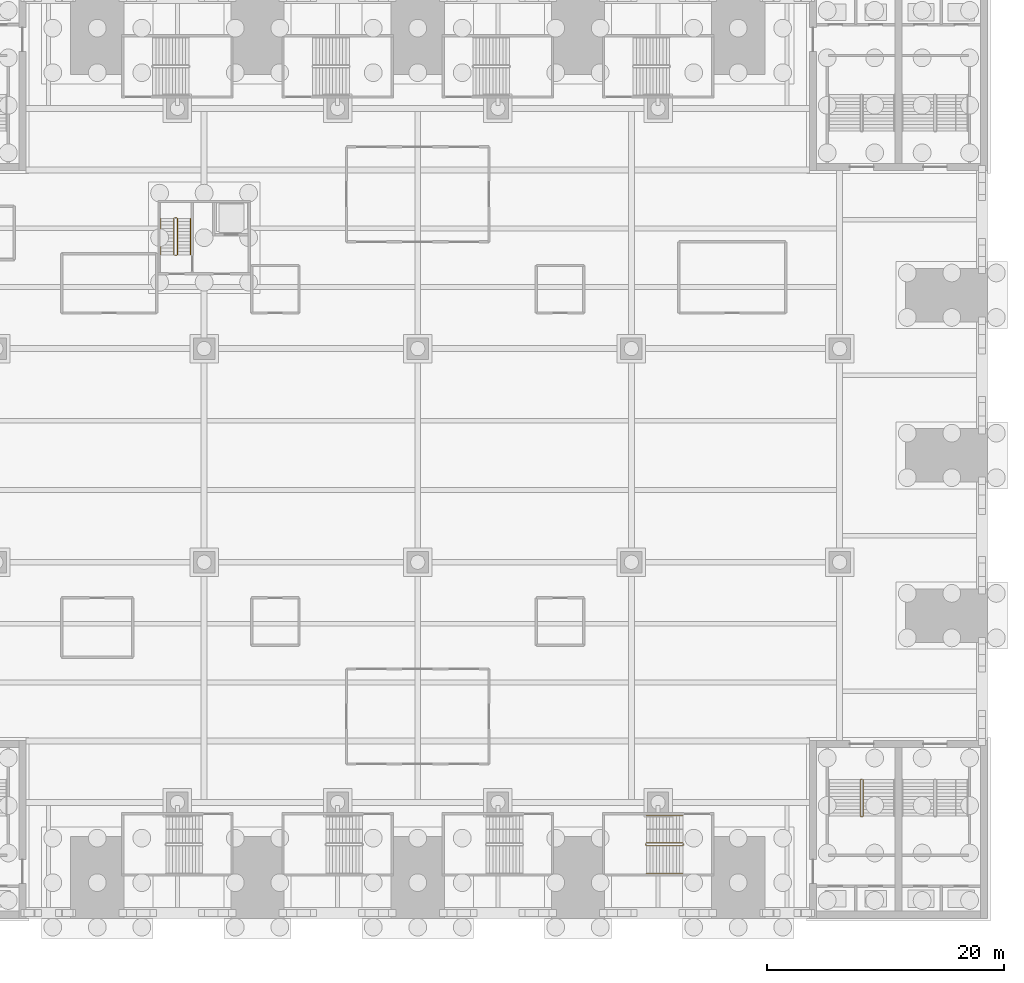
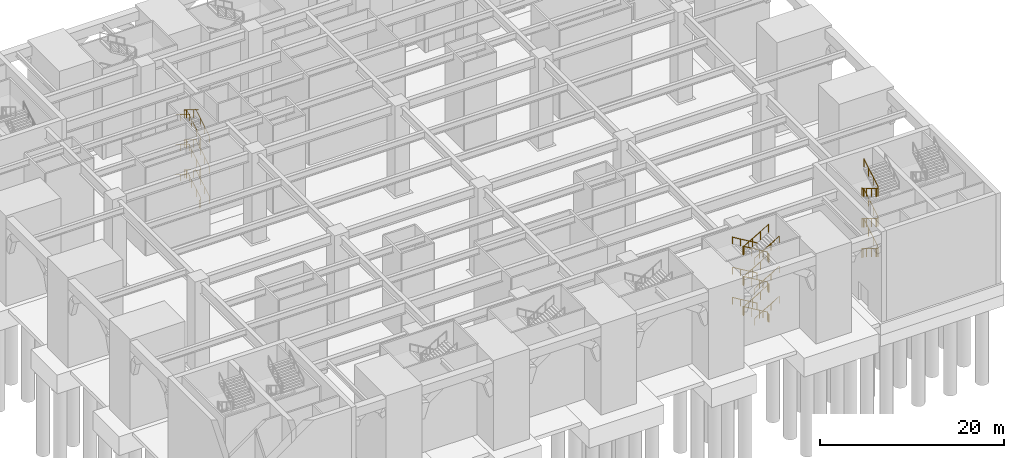
# One storey, part 29 of 34: 4 railings.
"""IFC4 building model written with IfcOpenShell, lengths in metres."""

from ifc_helpers import new_model, si_unit, direction, frame, origin, origin_2d, place, context, subcontext, project, spatial, circle, extrude, material, type_object, element, save


model = new_model("IFC4")

# Units and contexts
model_context = context("Model", 3, precision=1e-05, world=origin(), true_north=direction((0.0, 1.0)))
body_context = subcontext(model_context, "Body", "Model", "MODEL_VIEW")
ifc_project = project(units=[si_unit("LENGTHUNIT", "METRE"), si_unit("AREAUNIT", "SQUARE_METRE"), si_unit("VOLUMEUNIT", "CUBIC_METRE"), si_unit("PLANEANGLEUNIT", "RADIAN"), si_unit("MASSUNIT", "GRAM", prefix="KILO")], contexts=[model_context])

# Site, building, storey
site_placement = place(None, origin())
site = spatial("IfcSite", under=ifc_project, at=site_placement, CompositionType="ELEMENT")
building_placement = place(site_placement, origin())
building = spatial("IfcBuilding", under=site, at=building_placement, Name="Corbelhall Arena Tower", CompositionType="ELEMENT")
storey_placement = place(building_placement, origin())
storey = spatial("IfcBuildingStorey", under=building, at=storey_placement, Name="L00", CompositionType="ELEMENT", Elevation=0.0)

# Railings
ifc_material_1 = material(Name="Stainless steel A4", Category="steel")
railing_type_1 = type_object("IfcRailingType", Name="AR-STAIR-GUARD", PredefinedType="GUARDRAIL", material=ifc_material_1)
railing_1_placement = place(storey_placement, frame((22.35009765625, -32.64990234375, 0.166748046875)))
element("IfcRailing", 1, at=railing_1_placement, inside=storey, type_object=railing_type_1, Name="L00 AS16 stair guards", PredefinedType="GUARDRAIL", context=body_context, shape_type="SweptSolid", body=[
    extrude(circle(Radius=0.02392578125, at=origin_2d()), frame((0.0, 0.0, 1.076171875), z_axis=(-0.859308565015, 0.0, 0.511457515432), x_axis=(0.0, -1.0, 0.0)), (0.0, 0.0, 1.0), 3.58447265625),
    extrude(circle(Radius=0.02392578125, at=origin_2d()), frame((-3.130126953125, -0.050048828125, 2.9091796875), z_axis=(0.0, -1.0, 0.0), x_axis=(1.0, 0.0, 0.0)), (0.0, 0.0, 1.0), 0.150146484375),
    extrude(circle(Radius=0.02392578125, at=origin_2d()), frame((-3.080078125, -0.25, 3.076171875), z_axis=(0.859308565015, 0.0, 0.511457515432), x_axis=(0.0, 1.0, 0.0)), (0.0, 0.0, 1.0), 3.58447265625),
    extrude(circle(Radius=0.02392578125, at=origin_2d()), frame((0.0498046875, -0.050048828125, 4.9091796875), z_axis=(0.0, -1.0, 0.0), x_axis=(1.0, 0.0, 0.0)), (0.0, 0.0, 1.0), 0.150146484375),
    extrude(circle(Radius=0.02392578125, at=origin_2d()), frame((0.0, 0.0, 5.076171875), z_axis=(-0.859308565015, 0.0, 0.511457515432), x_axis=(0.0, -1.0, 0.0)), (0.0, 0.0, 1.0), 3.58447265625),
    extrude(circle(Radius=0.02392578125, at=origin_2d()), frame((-3.130126953125, -0.050048828125, 6.9091796875), z_axis=(0.0, -1.0, 0.0), x_axis=(1.0, 0.0, 0.0)), (0.0, 0.0, 1.0), 0.150146484375),
    extrude(circle(Radius=0.02392578125, at=origin_2d()), frame((-3.080078125, -0.25, 7.076171875), z_axis=(0.859308565015, 0.0, 0.511457515432), x_axis=(0.0, 1.0, 0.0)), (0.0, 0.0, 1.0), 3.58447265625),
    extrude(circle(Radius=0.02392578125, at=origin_2d()), frame((0.0498046875, -0.050048828125, 8.9091796875), z_axis=(0.0, -1.0, 0.0), x_axis=(1.0, 0.0, 0.0)), (0.0, 0.0, 1.0), 0.150146484375),
    extrude(circle(Radius=0.02392578125, at=origin_2d()), frame((0.0, 0.0, 9.076171875), z_axis=(-0.859308565015, 0.0, 0.511457515432), x_axis=(0.0, -1.0, 0.0)), (0.0, 0.0, 1.0), 3.58447265625),
    extrude(circle(Radius=0.02392578125, at=origin_2d()), frame((-3.130126953125, -0.050048828125, 10.9091796875), z_axis=(0.0, -1.0, 0.0), x_axis=(1.0, 0.0, 0.0)), (0.0, 0.0, 1.0), 0.150146484375),
    extrude(circle(Radius=0.02392578125, at=origin_2d()), frame((-3.080078125, -0.25, 11.076171875), z_axis=(0.859308565015, 0.0, 0.511457515432), x_axis=(0.0, 1.0, 0.0)), (0.0, 0.0, 1.0), 3.58447265625),
    extrude(circle(Radius=0.02392578125, at=origin_2d()), frame((0.0498046875, -0.050048828125, 0.9091796875), z_axis=(0.0, -1.0, 0.0), x_axis=(1.0, 0.0, 0.0)), (0.0, 0.0, 1.0), 0.150146484375),
    extrude(circle(Radius=0.02099609375, at=origin_2d()), origin(), (0.0, 0.0, 1.0), 1.052001953125),
    extrude(circle(Radius=0.02099609375, at=origin_2d()), frame((-1.026611328125, 0.0, 0.611083984375)), (0.0, 0.0, 1.0), 1.052001953125),
    extrude(circle(Radius=0.02099609375, at=origin_2d()), frame((-2.053466796875, 0.0, 1.22216796875)), (0.0, 0.0, 1.0), 1.052001953125),
    extrude(circle(Radius=0.02099609375, at=origin_2d()), frame((-3.080078125, 0.0, 1.833251953125)), (0.0, 0.0, 1.0), 1.052001953125),
    extrude(circle(Radius=0.02099609375, at=origin_2d()), frame((-3.130126953125, -0.050048828125, 1.833251953125)), (0.0, 0.0, 1.0), 1.052001953125),
    extrude(circle(Radius=0.02099609375, at=origin_2d()), frame((-3.130126953125, -0.2001953125, 1.833251953125)), (0.0, 0.0, 1.0), 1.052001953125),
    extrude(circle(Radius=0.02099609375, at=origin_2d()), frame((-3.080078125, -0.25, 2.0)), (0.0, 0.0, 1.0), 1.052001953125),
    extrude(circle(Radius=0.02099609375, at=origin_2d()), frame((-2.053466796875, -0.25, 2.611083984375)), (0.0, 0.0, 1.0), 1.052001953125),
    extrude(circle(Radius=0.02099609375, at=origin_2d()), frame((-1.026611328125, -0.25, 3.22216796875)), (0.0, 0.0, 1.0), 1.052001953125),
    extrude(circle(Radius=0.02099609375, at=origin_2d()), frame((0.0, -0.25, 3.833251953125)), (0.0, 0.0, 1.0), 1.052001953125),
    extrude(circle(Radius=0.02099609375, at=origin_2d()), frame((0.0498046875, -0.050048828125, 3.833251953125)), (0.0, 0.0, 1.0), 1.052001953125),
    extrude(circle(Radius=0.02099609375, at=origin_2d()), frame((0.0498046875, -0.2001953125, 3.833251953125)), (0.0, 0.0, 1.0), 1.052001953125),
    extrude(circle(Radius=0.02099609375, at=origin_2d()), frame((0.0, 0.0, 4.0)), (0.0, 0.0, 1.0), 1.052001953125),
    extrude(circle(Radius=0.02099609375, at=origin_2d()), frame((-1.026611328125, 0.0, 4.611083984375)), (0.0, 0.0, 1.0), 1.052001953125),
    extrude(circle(Radius=0.02099609375, at=origin_2d()), frame((-2.053466796875, 0.0, 5.22216796875)), (0.0, 0.0, 1.0), 1.052001953125),
    extrude(circle(Radius=0.02099609375, at=origin_2d()), frame((-3.080078125, 0.0, 5.833251953125)), (0.0, 0.0, 1.0), 1.052001953125),
    extrude(circle(Radius=0.02099609375, at=origin_2d()), frame((-3.130126953125, -0.050048828125, 5.833251953125)), (0.0, 0.0, 1.0), 1.052001953125),
    extrude(circle(Radius=0.02099609375, at=origin_2d()), frame((-3.130126953125, -0.2001953125, 5.833251953125)), (0.0, 0.0, 1.0), 1.052001953125),
    extrude(circle(Radius=0.02099609375, at=origin_2d()), frame((-3.080078125, -0.25, 6.0)), (0.0, 0.0, 1.0), 1.052001953125),
    extrude(circle(Radius=0.02099609375, at=origin_2d()), frame((-2.053466796875, -0.25, 6.611083984375)), (0.0, 0.0, 1.0), 1.052001953125),
    extrude(circle(Radius=0.02099609375, at=origin_2d()), frame((-1.026611328125, -0.25, 7.22216796875)), (0.0, 0.0, 1.0), 1.052001953125),
    extrude(circle(Radius=0.02099609375, at=origin_2d()), frame((0.0, -0.25, 7.833251953125)), (0.0, 0.0, 1.0), 1.052001953125),
    extrude(circle(Radius=0.02099609375, at=origin_2d()), frame((0.0498046875, -0.050048828125, 7.833251953125)), (0.0, 0.0, 1.0), 1.052001953125),
    extrude(circle(Radius=0.02099609375, at=origin_2d()), frame((0.0498046875, -0.2001953125, 7.833251953125)), (0.0, 0.0, 1.0), 1.052001953125),
    extrude(circle(Radius=0.02099609375, at=origin_2d()), frame((0.0, 0.0, 8.0)), (0.0, 0.0, 1.0), 1.052001953125),
    extrude(circle(Radius=0.02099609375, at=origin_2d()), frame((-1.026611328125, 0.0, 8.611083984375)), (0.0, 0.0, 1.0), 1.052001953125),
    extrude(circle(Radius=0.02099609375, at=origin_2d()), frame((-2.053466796875, 0.0, 9.22216796875)), (0.0, 0.0, 1.0), 1.052001953125),
    extrude(circle(Radius=0.02099609375, at=origin_2d()), frame((-3.080078125, 0.0, 9.833251953125)), (0.0, 0.0, 1.0), 1.052001953125),
    extrude(circle(Radius=0.02099609375, at=origin_2d()), frame((-3.130126953125, -0.050048828125, 9.833251953125)), (0.0, 0.0, 1.0), 1.052001953125),
    extrude(circle(Radius=0.02099609375, at=origin_2d()), frame((-3.130126953125, -0.2001953125, 9.833251953125)), (0.0, 0.0, 1.0), 1.052001953125),
    extrude(circle(Radius=0.02099609375, at=origin_2d()), frame((-3.080078125, -0.25, 10.0)), (0.0, 0.0, 1.0), 1.052001953125),
    extrude(circle(Radius=0.02099609375, at=origin_2d()), frame((-2.053466796875, -0.25, 10.611083984375)), (0.0, 0.0, 1.0), 1.052001953125),
    extrude(circle(Radius=0.02099609375, at=origin_2d()), frame((-1.026611328125, -0.25, 11.22216796875)), (0.0, 0.0, 1.0), 1.052001953125),
    extrude(circle(Radius=0.02099609375, at=origin_2d()), frame((0.0, -0.25, 11.833251953125)), (0.0, 0.0, 1.0), 1.052001953125),
    extrude(circle(Radius=0.02099609375, at=origin_2d()), frame((0.0498046875, -0.050048828125, -0.166748046875)), (0.0, 0.0, 1.0), 1.052001953125),
    extrude(circle(Radius=0.02099609375, at=origin_2d()), frame((0.0498046875, -0.2001953125, -0.166748046875)), (0.0, 0.0, 1.0), 1.052001953125),
])
railing_2_placement = place(storey_placement, frame((37.280029296875, -27.320068359375, 0.166748046875)))
element("IfcRailing", 2, at=railing_2_placement, inside=storey, type_object=railing_type_1, Name="L00 AS5 stair guards", PredefinedType="GUARDRAIL", context=body_context, shape_type="SweptSolid", body=[
    extrude(circle(Radius=0.02392578125, at=origin_2d()), frame((0.0, 0.0, 1.076171875), z_axis=(0.0, -0.859290745958, 0.51148745235), x_axis=(1.0, 0.0, 0.0)), (0.0, 0.0, 1.0), 3.584228515625),
    extrude(circle(Radius=0.02392578125, at=origin_2d()), frame((0.050048828125, -3.1298828125, 2.9091796875), z_axis=(1.0, 0.0, 0.0), x_axis=(0.0, 1.0, 0.0)), (0.0, 0.0, 1.0), 0.14990234375),
    extrude(circle(Radius=0.02392578125, at=origin_2d()), frame((0.25, -3.079833984375, 3.076171875), z_axis=(0.0, 0.859290745958, 0.51148745235), x_axis=(-1.0, 0.0, 0.0)), (0.0, 0.0, 1.0), 3.584228515625),
    extrude(circle(Radius=0.02392578125, at=origin_2d()), frame((0.050048828125, 0.050048828125, 4.9091796875), z_axis=(1.0, 0.0, 0.0), x_axis=(0.0, 1.0, 0.0)), (0.0, 0.0, 1.0), 0.14990234375),
    extrude(circle(Radius=0.02392578125, at=origin_2d()), frame((0.0, 0.0, 5.076171875), z_axis=(0.0, -0.859290745958, 0.51148745235), x_axis=(1.0, 0.0, 0.0)), (0.0, 0.0, 1.0), 3.584228515625),
    extrude(circle(Radius=0.02392578125, at=origin_2d()), frame((0.050048828125, -3.1298828125, 6.9091796875), z_axis=(1.0, 0.0, 0.0), x_axis=(0.0, 1.0, 0.0)), (0.0, 0.0, 1.0), 0.14990234375),
    extrude(circle(Radius=0.02392578125, at=origin_2d()), frame((0.25, -3.079833984375, 7.076171875), z_axis=(0.0, 0.859290745958, 0.51148745235), x_axis=(-1.0, 0.0, 0.0)), (0.0, 0.0, 1.0), 3.584228515625),
    extrude(circle(Radius=0.02392578125, at=origin_2d()), frame((0.050048828125, 0.050048828125, 8.9091796875), z_axis=(1.0, 0.0, 0.0), x_axis=(0.0, 1.0, 0.0)), (0.0, 0.0, 1.0), 0.14990234375),
    extrude(circle(Radius=0.02392578125, at=origin_2d()), frame((0.0, 0.0, 9.076171875), z_axis=(0.0, -0.859290745958, 0.51148745235), x_axis=(1.0, 0.0, 0.0)), (0.0, 0.0, 1.0), 3.584228515625),
    extrude(circle(Radius=0.02392578125, at=origin_2d()), frame((0.050048828125, -3.1298828125, 10.9091796875), z_axis=(1.0, 0.0, 0.0), x_axis=(0.0, 1.0, 0.0)), (0.0, 0.0, 1.0), 0.14990234375),
    extrude(circle(Radius=0.02392578125, at=origin_2d()), frame((0.25, -3.079833984375, 11.076171875), z_axis=(0.0, 0.859290745958, 0.51148745235), x_axis=(-1.0, 0.0, 0.0)), (0.0, 0.0, 1.0), 3.584228515625),
    extrude(circle(Radius=0.02392578125, at=origin_2d()), frame((0.050048828125, 0.050048828125, 0.9091796875), z_axis=(1.0, 0.0, 0.0), x_axis=(0.0, 1.0, 0.0)), (0.0, 0.0, 1.0), 0.14990234375),
    extrude(circle(Radius=0.02099609375, at=origin_2d()), origin(), (0.0, 0.0, 1.0), 1.052001953125),
    extrude(circle(Radius=0.02099609375, at=origin_2d()), frame((0.0, -1.026611328125, 0.611083984375)), (0.0, 0.0, 1.0), 1.052001953125),
    extrude(circle(Radius=0.02099609375, at=origin_2d()), frame((0.0, -2.05322265625, 1.22216796875)), (0.0, 0.0, 1.0), 1.052001953125),
    extrude(circle(Radius=0.02099609375, at=origin_2d()), frame((0.0, -3.079833984375, 1.833251953125)), (0.0, 0.0, 1.0), 1.052001953125),
    extrude(circle(Radius=0.02099609375, at=origin_2d()), frame((0.050048828125, -3.1298828125, 1.833251953125)), (0.0, 0.0, 1.0), 1.052001953125),
    extrude(circle(Radius=0.02099609375, at=origin_2d()), frame((0.199951171875, -3.1298828125, 1.833251953125)), (0.0, 0.0, 1.0), 1.052001953125),
    extrude(circle(Radius=0.02099609375, at=origin_2d()), frame((0.25, -3.079833984375, 2.0)), (0.0, 0.0, 1.0), 1.052001953125),
    extrude(circle(Radius=0.02099609375, at=origin_2d()), frame((0.25, -2.05322265625, 2.611083984375)), (0.0, 0.0, 1.0), 1.052001953125),
    extrude(circle(Radius=0.02099609375, at=origin_2d()), frame((0.25, -1.026611328125, 3.22216796875)), (0.0, 0.0, 1.0), 1.052001953125),
    extrude(circle(Radius=0.02099609375, at=origin_2d()), frame((0.25, 0.0, 3.833251953125)), (0.0, 0.0, 1.0), 1.052001953125),
    extrude(circle(Radius=0.02099609375, at=origin_2d()), frame((0.050048828125, 0.050048828125, 3.833251953125)), (0.0, 0.0, 1.0), 1.052001953125),
    extrude(circle(Radius=0.02099609375, at=origin_2d()), frame((0.199951171875, 0.050048828125, 3.833251953125)), (0.0, 0.0, 1.0), 1.052001953125),
    extrude(circle(Radius=0.02099609375, at=origin_2d()), frame((0.0, 0.0, 4.0)), (0.0, 0.0, 1.0), 1.052001953125),
    extrude(circle(Radius=0.02099609375, at=origin_2d()), frame((0.0, -1.026611328125, 4.611083984375)), (0.0, 0.0, 1.0), 1.052001953125),
    extrude(circle(Radius=0.02099609375, at=origin_2d()), frame((0.0, -2.05322265625, 5.22216796875)), (0.0, 0.0, 1.0), 1.052001953125),
    extrude(circle(Radius=0.02099609375, at=origin_2d()), frame((0.0, -3.079833984375, 5.833251953125)), (0.0, 0.0, 1.0), 1.052001953125),
    extrude(circle(Radius=0.02099609375, at=origin_2d()), frame((0.050048828125, -3.1298828125, 5.833251953125)), (0.0, 0.0, 1.0), 1.052001953125),
    extrude(circle(Radius=0.02099609375, at=origin_2d()), frame((0.199951171875, -3.1298828125, 5.833251953125)), (0.0, 0.0, 1.0), 1.052001953125),
    extrude(circle(Radius=0.02099609375, at=origin_2d()), frame((0.25, -3.079833984375, 6.0)), (0.0, 0.0, 1.0), 1.052001953125),
    extrude(circle(Radius=0.02099609375, at=origin_2d()), frame((0.25, -2.05322265625, 6.611083984375)), (0.0, 0.0, 1.0), 1.052001953125),
    extrude(circle(Radius=0.02099609375, at=origin_2d()), frame((0.25, -1.026611328125, 7.22216796875)), (0.0, 0.0, 1.0), 1.052001953125),
    extrude(circle(Radius=0.02099609375, at=origin_2d()), frame((0.25, 0.0, 7.833251953125)), (0.0, 0.0, 1.0), 1.052001953125),
    extrude(circle(Radius=0.02099609375, at=origin_2d()), frame((0.050048828125, 0.050048828125, 7.833251953125)), (0.0, 0.0, 1.0), 1.052001953125),
    extrude(circle(Radius=0.02099609375, at=origin_2d()), frame((0.199951171875, 0.050048828125, 7.833251953125)), (0.0, 0.0, 1.0), 1.052001953125),
    extrude(circle(Radius=0.02099609375, at=origin_2d()), frame((0.0, 0.0, 8.0)), (0.0, 0.0, 1.0), 1.052001953125),
    extrude(circle(Radius=0.02099609375, at=origin_2d()), frame((0.0, -1.026611328125, 8.611083984375)), (0.0, 0.0, 1.0), 1.052001953125),
    extrude(circle(Radius=0.02099609375, at=origin_2d()), frame((0.0, -2.05322265625, 9.22216796875)), (0.0, 0.0, 1.0), 1.052001953125),
    extrude(circle(Radius=0.02099609375, at=origin_2d()), frame((0.0, -3.079833984375, 9.833251953125)), (0.0, 0.0, 1.0), 1.052001953125),
    extrude(circle(Radius=0.02099609375, at=origin_2d()), frame((0.050048828125, -3.1298828125, 9.833251953125)), (0.0, 0.0, 1.0), 1.052001953125),
    extrude(circle(Radius=0.02099609375, at=origin_2d()), frame((0.199951171875, -3.1298828125, 9.833251953125)), (0.0, 0.0, 1.0), 1.052001953125),
    extrude(circle(Radius=0.02099609375, at=origin_2d()), frame((0.25, -3.079833984375, 10.0)), (0.0, 0.0, 1.0), 1.052001953125),
    extrude(circle(Radius=0.02099609375, at=origin_2d()), frame((0.25, -2.05322265625, 10.611083984375)), (0.0, 0.0, 1.0), 1.052001953125),
    extrude(circle(Radius=0.02099609375, at=origin_2d()), frame((0.25, -1.026611328125, 11.22216796875)), (0.0, 0.0, 1.0), 1.052001953125),
    extrude(circle(Radius=0.02099609375, at=origin_2d()), frame((0.25, 0.0, 11.833251953125)), (0.0, 0.0, 1.0), 1.052001953125),
    extrude(circle(Radius=0.02099609375, at=origin_2d()), frame((0.050048828125, 0.050048828125, -0.166748046875)), (0.0, 0.0, 1.0), 1.052001953125),
    extrude(circle(Radius=0.02099609375, at=origin_2d()), frame((0.199951171875, 0.050048828125, -0.166748046875)), (0.0, 0.0, 1.0), 1.052001953125),
])
railing_type_2 = type_object("IfcRailingType", Name="AR-STAIR-HANDRAIL", PredefinedType="HANDRAIL", material=ifc_material_1)
railing_3_placement = place(storey_placement, frame((22.35009765625, -30.35009765625, 0.166748046875)))
element("IfcRailing", 3, at=railing_3_placement, inside=storey, type_object=railing_type_2, Name="L00 AS16 stair handrails", PredefinedType="HANDRAIL", context=body_context, shape_type="SweptSolid", body=[
    extrude(circle(Radius=0.02392578125, at=origin_2d()), frame((0.0, 0.0, 0.8759765625), z_axis=(-0.859308565015, 0.0, 0.511457515432), x_axis=(0.0, -1.0, 0.0)), (0.0, 0.0, 1.0), 3.58447265625),
    extrude(circle(Radius=0.02392578125, at=origin_2d()), frame((-3.080078125, -4.849853515625, 2.8759765625), z_axis=(0.859308565015, 0.0, 0.511457515432), x_axis=(0.0, 1.0, 0.0)), (0.0, 0.0, 1.0), 3.58447265625),
    extrude(circle(Radius=0.02392578125, at=origin_2d()), frame((0.0, 0.0, 4.8759765625), z_axis=(-0.859308565015, 0.0, 0.511457515432), x_axis=(0.0, -1.0, 0.0)), (0.0, 0.0, 1.0), 3.58447265625),
    extrude(circle(Radius=0.02392578125, at=origin_2d()), frame((-3.080078125, -4.849853515625, 6.8759765625), z_axis=(0.859308565015, 0.0, 0.511457515432), x_axis=(0.0, 1.0, 0.0)), (0.0, 0.0, 1.0), 3.58447265625),
    extrude(circle(Radius=0.02392578125, at=origin_2d()), frame((0.0, 0.0, 8.8759765625), z_axis=(-0.859308565015, 0.0, 0.511457515432), x_axis=(0.0, -1.0, 0.0)), (0.0, 0.0, 1.0), 3.58447265625),
    extrude(circle(Radius=0.02392578125, at=origin_2d()), frame((-3.080078125, -4.849853515625, 10.8759765625), z_axis=(0.859308565015, 0.0, 0.511457515432), x_axis=(0.0, 1.0, 0.0)), (0.0, 0.0, 1.0), 3.58447265625),
    extrude(circle(Radius=0.02099609375, at=origin_2d()), origin(), (0.0, 0.0, 1.0), 0.851806640625),
    extrude(circle(Radius=0.02099609375, at=origin_2d()), frame((-1.026611328125, 0.0, 0.611083984375)), (0.0, 0.0, 1.0), 0.851806640625),
    extrude(circle(Radius=0.02099609375, at=origin_2d()), frame((-2.053466796875, 0.0, 1.22216796875)), (0.0, 0.0, 1.0), 0.851806640625),
    extrude(circle(Radius=0.02099609375, at=origin_2d()), frame((-3.080078125, 0.0, 1.833251953125)), (0.0, 0.0, 1.0), 0.851806640625),
    extrude(circle(Radius=0.02099609375, at=origin_2d()), frame((-3.080078125, -4.849853515625, 2.0)), (0.0, 0.0, 1.0), 0.851806640625),
    extrude(circle(Radius=0.02099609375, at=origin_2d()), frame((-2.053466796875, -4.849853515625, 2.611083984375)), (0.0, 0.0, 1.0), 0.851806640625),
    extrude(circle(Radius=0.02099609375, at=origin_2d()), frame((-1.026611328125, -4.849853515625, 3.22216796875)), (0.0, 0.0, 1.0), 0.851806640625),
    extrude(circle(Radius=0.02099609375, at=origin_2d()), frame((0.0, -4.849853515625, 3.833251953125)), (0.0, 0.0, 1.0), 0.851806640625),
    extrude(circle(Radius=0.02099609375, at=origin_2d()), frame((0.0, 0.0, 4.0)), (0.0, 0.0, 1.0), 0.851806640625),
    extrude(circle(Radius=0.02099609375, at=origin_2d()), frame((-1.026611328125, 0.0, 4.611083984375)), (0.0, 0.0, 1.0), 0.851806640625),
    extrude(circle(Radius=0.02099609375, at=origin_2d()), frame((-2.053466796875, 0.0, 5.22216796875)), (0.0, 0.0, 1.0), 0.851806640625),
    extrude(circle(Radius=0.02099609375, at=origin_2d()), frame((-3.080078125, 0.0, 5.833251953125)), (0.0, 0.0, 1.0), 0.851806640625),
    extrude(circle(Radius=0.02099609375, at=origin_2d()), frame((-3.080078125, -4.849853515625, 6.0)), (0.0, 0.0, 1.0), 0.851806640625),
    extrude(circle(Radius=0.02099609375, at=origin_2d()), frame((-2.053466796875, -4.849853515625, 6.611083984375)), (0.0, 0.0, 1.0), 0.851806640625),
    extrude(circle(Radius=0.02099609375, at=origin_2d()), frame((-1.026611328125, -4.849853515625, 7.22216796875)), (0.0, 0.0, 1.0), 0.851806640625),
    extrude(circle(Radius=0.02099609375, at=origin_2d()), frame((0.0, -4.849853515625, 7.833251953125)), (0.0, 0.0, 1.0), 0.851806640625),
    extrude(circle(Radius=0.02099609375, at=origin_2d()), frame((0.0, 0.0, 8.0)), (0.0, 0.0, 1.0), 0.851806640625),
    extrude(circle(Radius=0.02099609375, at=origin_2d()), frame((-1.026611328125, 0.0, 8.611083984375)), (0.0, 0.0, 1.0), 0.851806640625),
    extrude(circle(Radius=0.02099609375, at=origin_2d()), frame((-2.053466796875, 0.0, 9.22216796875)), (0.0, 0.0, 1.0), 0.851806640625),
    extrude(circle(Radius=0.02099609375, at=origin_2d()), frame((-3.080078125, 0.0, 9.833251953125)), (0.0, 0.0, 1.0), 0.851806640625),
    extrude(circle(Radius=0.02099609375, at=origin_2d()), frame((-3.080078125, -4.849853515625, 10.0)), (0.0, 0.0, 1.0), 0.851806640625),
    extrude(circle(Radius=0.02099609375, at=origin_2d()), frame((-2.053466796875, -4.849853515625, 10.611083984375)), (0.0, 0.0, 1.0), 0.851806640625),
    extrude(circle(Radius=0.02099609375, at=origin_2d()), frame((-1.026611328125, -4.849853515625, 11.22216796875)), (0.0, 0.0, 1.0), 0.851806640625),
    extrude(circle(Radius=0.02099609375, at=origin_2d()), frame((0.0, -4.849853515625, 11.833251953125)), (0.0, 0.0, 1.0), 0.851806640625),
])
ifc_material_2 = material(Name="Steel ASTM A500 Gr C", Category="steel")
railing_type_3 = type_object("IfcRailingType", Name="IN-GD-1100", PredefinedType="GUARDRAIL", material=ifc_material_2)
railing_4_placement = place(storey_placement, frame((-20.2451171875, 16.89990234375, 0.166748046875)))
element("IfcRailing", 4, at=railing_4_placement, inside=storey, type_object=railing_type_3, Name="L00 AS17 stair guards and handrails", PredefinedType="GUARDRAIL", context=body_context, shape_type="SweptSolid", body=[
    extrude(circle(Radius=0.02392578125, at=origin_2d()), frame((0.0, 0.0, 1.076171875), z_axis=(0.0, 0.859308565015, 0.511457515432), x_axis=(-1.0, 0.0, 0.0)), (0.0, 0.0, 1.0), 3.58447265625),
    extrude(circle(Radius=0.02392578125, at=origin_2d()), frame((-0.0498046875, 3.130126953125, 2.9091796875), z_axis=(-1.0, 0.0, 0.0), x_axis=(0.0, -1.0, 0.0)), (0.0, 0.0, 1.0), 0.2001953125),
    extrude(circle(Radius=0.02392578125, at=origin_2d()), frame((-0.2998046875, 3.080078125, 3.076171875), z_axis=(0.0, -0.859308565015, 0.511457515432), x_axis=(1.0, 0.0, 0.0)), (0.0, 0.0, 1.0), 3.58447265625),
    extrude(circle(Radius=0.02392578125, at=origin_2d()), frame((-0.0498046875, -0.0498046875, 4.9091796875), z_axis=(-1.0, 0.0, 0.0), x_axis=(0.0, -1.0, 0.0)), (0.0, 0.0, 1.0), 0.2001953125),
    extrude(circle(Radius=0.02392578125, at=origin_2d()), frame((0.0, 0.0, 5.076171875), z_axis=(0.0, 0.859308565015, 0.511457515432), x_axis=(-1.0, 0.0, 0.0)), (0.0, 0.0, 1.0), 3.58447265625),
    extrude(circle(Radius=0.02392578125, at=origin_2d()), frame((-0.0498046875, 3.130126953125, 6.9091796875), z_axis=(-1.0, 0.0, 0.0), x_axis=(0.0, -1.0, 0.0)), (0.0, 0.0, 1.0), 0.2001953125),
    extrude(circle(Radius=0.02392578125, at=origin_2d()), frame((-0.2998046875, 3.080078125, 7.076171875), z_axis=(0.0, -0.859308565015, 0.511457515432), x_axis=(1.0, 0.0, 0.0)), (0.0, 0.0, 1.0), 3.58447265625),
    extrude(circle(Radius=0.02392578125, at=origin_2d()), frame((-0.0498046875, -0.0498046875, 8.9091796875), z_axis=(-1.0, 0.0, 0.0), x_axis=(0.0, -1.0, 0.0)), (0.0, 0.0, 1.0), 0.2001953125),
    extrude(circle(Radius=0.02392578125, at=origin_2d()), frame((0.0, 0.0, 9.076171875), z_axis=(0.0, 0.859308565015, 0.511457515432), x_axis=(-1.0, 0.0, 0.0)), (0.0, 0.0, 1.0), 3.58447265625),
    extrude(circle(Radius=0.02392578125, at=origin_2d()), frame((-0.0498046875, 3.130126953125, 10.9091796875), z_axis=(-1.0, 0.0, 0.0), x_axis=(0.0, -1.0, 0.0)), (0.0, 0.0, 1.0), 0.2001953125),
    extrude(circle(Radius=0.02392578125, at=origin_2d()), frame((-0.2998046875, 3.080078125, 11.076171875), z_axis=(0.0, -0.859308565015, 0.511457515432), x_axis=(1.0, 0.0, 0.0)), (0.0, 0.0, 1.0), 3.58447265625),
    extrude(circle(Radius=0.02392578125, at=origin_2d()), frame((-0.0498046875, -0.0498046875, 0.9091796875), z_axis=(-1.0, 0.0, 0.0), x_axis=(0.0, -1.0, 0.0)), (0.0, 0.0, 1.0), 0.2001953125),
    extrude(circle(Radius=0.02392578125, at=origin_2d()), frame((1.10009765625, 0.0, 0.8759765625), z_axis=(0.0, 0.859308565015, 0.511457515432), x_axis=(-1.0, 0.0, 0.0)), (0.0, 0.0, 1.0), 3.58447265625),
    extrude(circle(Radius=0.02392578125, at=origin_2d()), frame((-1.39990234375, 3.080078125, 2.8759765625), z_axis=(0.0, -0.859308565015, 0.511457515432), x_axis=(1.0, 0.0, 0.0)), (0.0, 0.0, 1.0), 3.58447265625),
    extrude(circle(Radius=0.02392578125, at=origin_2d()), frame((1.10009765625, 0.0, 4.8759765625), z_axis=(0.0, 0.859308565015, 0.511457515432), x_axis=(-1.0, 0.0, 0.0)), (0.0, 0.0, 1.0), 3.58447265625),
    extrude(circle(Radius=0.02392578125, at=origin_2d()), frame((-1.39990234375, 3.080078125, 6.8759765625), z_axis=(0.0, -0.859308565015, 0.511457515432), x_axis=(1.0, 0.0, 0.0)), (0.0, 0.0, 1.0), 3.58447265625),
    extrude(circle(Radius=0.02392578125, at=origin_2d()), frame((1.10009765625, 0.0, 8.8759765625), z_axis=(0.0, 0.859308565015, 0.511457515432), x_axis=(-1.0, 0.0, 0.0)), (0.0, 0.0, 1.0), 3.58447265625),
    extrude(circle(Radius=0.02392578125, at=origin_2d()), frame((-1.39990234375, 3.080078125, 10.8759765625), z_axis=(0.0, -0.859308565015, 0.511457515432), x_axis=(1.0, 0.0, 0.0)), (0.0, 0.0, 1.0), 3.58447265625),
    extrude(circle(Radius=0.02099609375, at=origin_2d()), origin(), (0.0, 0.0, 1.0), 1.052001953125),
    extrude(circle(Radius=0.02099609375, at=origin_2d()), frame((0.0, 1.026611328125, 0.611083984375)), (0.0, 0.0, 1.0), 1.052001953125),
    extrude(circle(Radius=0.02099609375, at=origin_2d()), frame((0.0, 2.053466796875, 1.22216796875)), (0.0, 0.0, 1.0), 1.052001953125),
    extrude(circle(Radius=0.02099609375, at=origin_2d()), frame((0.0, 3.080078125, 1.833251953125)), (0.0, 0.0, 1.0), 1.052001953125),
    extrude(circle(Radius=0.02099609375, at=origin_2d()), frame((-0.0498046875, 3.130126953125, 1.833251953125)), (0.0, 0.0, 1.0), 1.052001953125),
    extrude(circle(Radius=0.02099609375, at=origin_2d()), frame((-0.25, 3.130126953125, 1.833251953125)), (0.0, 0.0, 1.0), 1.052001953125),
    extrude(circle(Radius=0.02099609375, at=origin_2d()), frame((-0.2998046875, 3.080078125, 2.0)), (0.0, 0.0, 1.0), 1.052001953125),
    extrude(circle(Radius=0.02099609375, at=origin_2d()), frame((-0.2998046875, 2.053466796875, 2.611083984375)), (0.0, 0.0, 1.0), 1.052001953125),
    extrude(circle(Radius=0.02099609375, at=origin_2d()), frame((-0.2998046875, 1.026611328125, 3.22216796875)), (0.0, 0.0, 1.0), 1.052001953125),
    extrude(circle(Radius=0.02099609375, at=origin_2d()), frame((-0.2998046875, 0.0, 3.833251953125)), (0.0, 0.0, 1.0), 1.052001953125),
    extrude(circle(Radius=0.02099609375, at=origin_2d()), frame((-0.0498046875, -0.0498046875, 3.833251953125)), (0.0, 0.0, 1.0), 1.052001953125),
    extrude(circle(Radius=0.02099609375, at=origin_2d()), frame((-0.25, -0.0498046875, 3.833251953125)), (0.0, 0.0, 1.0), 1.052001953125),
    extrude(circle(Radius=0.02099609375, at=origin_2d()), frame((0.0, 0.0, 4.0)), (0.0, 0.0, 1.0), 1.052001953125),
    extrude(circle(Radius=0.02099609375, at=origin_2d()), frame((0.0, 1.026611328125, 4.611083984375)), (0.0, 0.0, 1.0), 1.052001953125),
    extrude(circle(Radius=0.02099609375, at=origin_2d()), frame((0.0, 2.053466796875, 5.22216796875)), (0.0, 0.0, 1.0), 1.052001953125),
    extrude(circle(Radius=0.02099609375, at=origin_2d()), frame((0.0, 3.080078125, 5.833251953125)), (0.0, 0.0, 1.0), 1.052001953125),
    extrude(circle(Radius=0.02099609375, at=origin_2d()), frame((-0.0498046875, 3.130126953125, 5.833251953125)), (0.0, 0.0, 1.0), 1.052001953125),
    extrude(circle(Radius=0.02099609375, at=origin_2d()), frame((-0.25, 3.130126953125, 5.833251953125)), (0.0, 0.0, 1.0), 1.052001953125),
    extrude(circle(Radius=0.02099609375, at=origin_2d()), frame((-0.2998046875, 3.080078125, 6.0)), (0.0, 0.0, 1.0), 1.052001953125),
    extrude(circle(Radius=0.02099609375, at=origin_2d()), frame((-0.2998046875, 2.053466796875, 6.611083984375)), (0.0, 0.0, 1.0), 1.052001953125),
    extrude(circle(Radius=0.02099609375, at=origin_2d()), frame((-0.2998046875, 1.026611328125, 7.22216796875)), (0.0, 0.0, 1.0), 1.052001953125),
    extrude(circle(Radius=0.02099609375, at=origin_2d()), frame((-0.2998046875, 0.0, 7.833251953125)), (0.0, 0.0, 1.0), 1.052001953125),
    extrude(circle(Radius=0.02099609375, at=origin_2d()), frame((-0.0498046875, -0.0498046875, 7.833251953125)), (0.0, 0.0, 1.0), 1.052001953125),
    extrude(circle(Radius=0.02099609375, at=origin_2d()), frame((-0.25, -0.0498046875, 7.833251953125)), (0.0, 0.0, 1.0), 1.052001953125),
    extrude(circle(Radius=0.02099609375, at=origin_2d()), frame((0.0, 0.0, 8.0)), (0.0, 0.0, 1.0), 1.052001953125),
    extrude(circle(Radius=0.02099609375, at=origin_2d()), frame((0.0, 1.026611328125, 8.611083984375)), (0.0, 0.0, 1.0), 1.052001953125),
    extrude(circle(Radius=0.02099609375, at=origin_2d()), frame((0.0, 2.053466796875, 9.22216796875)), (0.0, 0.0, 1.0), 1.052001953125),
    extrude(circle(Radius=0.02099609375, at=origin_2d()), frame((0.0, 3.080078125, 9.833251953125)), (0.0, 0.0, 1.0), 1.052001953125),
    extrude(circle(Radius=0.02099609375, at=origin_2d()), frame((-0.0498046875, 3.130126953125, 9.833251953125)), (0.0, 0.0, 1.0), 1.052001953125),
    extrude(circle(Radius=0.02099609375, at=origin_2d()), frame((-0.25, 3.130126953125, 9.833251953125)), (0.0, 0.0, 1.0), 1.052001953125),
    extrude(circle(Radius=0.02099609375, at=origin_2d()), frame((-0.2998046875, 3.080078125, 10.0)), (0.0, 0.0, 1.0), 1.052001953125),
    extrude(circle(Radius=0.02099609375, at=origin_2d()), frame((-0.2998046875, 2.053466796875, 10.611083984375)), (0.0, 0.0, 1.0), 1.052001953125),
    extrude(circle(Radius=0.02099609375, at=origin_2d()), frame((-0.2998046875, 1.026611328125, 11.22216796875)), (0.0, 0.0, 1.0), 1.052001953125),
    extrude(circle(Radius=0.02099609375, at=origin_2d()), frame((-0.2998046875, 0.0, 11.833251953125)), (0.0, 0.0, 1.0), 1.052001953125),
    extrude(circle(Radius=0.02099609375, at=origin_2d()), frame((-0.0498046875, -0.0498046875, -0.166748046875)), (0.0, 0.0, 1.0), 1.052001953125),
    extrude(circle(Radius=0.02099609375, at=origin_2d()), frame((-0.25, -0.0498046875, -0.166748046875)), (0.0, 0.0, 1.0), 1.052001953125),
    extrude(circle(Radius=0.02099609375, at=origin_2d()), frame((1.10009765625, 0.0, 0.0)), (0.0, 0.0, 1.0), 0.851806640625),
    extrude(circle(Radius=0.02099609375, at=origin_2d()), frame((1.10009765625, 1.026611328125, 0.611083984375)), (0.0, 0.0, 1.0), 0.851806640625),
    extrude(circle(Radius=0.02099609375, at=origin_2d()), frame((1.10009765625, 2.053466796875, 1.22216796875)), (0.0, 0.0, 1.0), 0.851806640625),
    extrude(circle(Radius=0.02099609375, at=origin_2d()), frame((1.10009765625, 3.080078125, 1.833251953125)), (0.0, 0.0, 1.0), 0.851806640625),
    extrude(circle(Radius=0.02099609375, at=origin_2d()), frame((-1.39990234375, 3.080078125, 2.0)), (0.0, 0.0, 1.0), 0.851806640625),
    extrude(circle(Radius=0.02099609375, at=origin_2d()), frame((-1.39990234375, 2.053466796875, 2.611083984375)), (0.0, 0.0, 1.0), 0.851806640625),
    extrude(circle(Radius=0.02099609375, at=origin_2d()), frame((-1.39990234375, 1.026611328125, 3.22216796875)), (0.0, 0.0, 1.0), 0.851806640625),
    extrude(circle(Radius=0.02099609375, at=origin_2d()), frame((-1.39990234375, 0.0, 3.833251953125)), (0.0, 0.0, 1.0), 0.851806640625),
    extrude(circle(Radius=0.02099609375, at=origin_2d()), frame((1.10009765625, 0.0, 4.0)), (0.0, 0.0, 1.0), 0.851806640625),
    extrude(circle(Radius=0.02099609375, at=origin_2d()), frame((1.10009765625, 1.026611328125, 4.611083984375)), (0.0, 0.0, 1.0), 0.851806640625),
    extrude(circle(Radius=0.02099609375, at=origin_2d()), frame((1.10009765625, 2.053466796875, 5.22216796875)), (0.0, 0.0, 1.0), 0.851806640625),
    extrude(circle(Radius=0.02099609375, at=origin_2d()), frame((1.10009765625, 3.080078125, 5.833251953125)), (0.0, 0.0, 1.0), 0.851806640625),
    extrude(circle(Radius=0.02099609375, at=origin_2d()), frame((-1.39990234375, 3.080078125, 6.0)), (0.0, 0.0, 1.0), 0.851806640625),
    extrude(circle(Radius=0.02099609375, at=origin_2d()), frame((-1.39990234375, 2.053466796875, 6.611083984375)), (0.0, 0.0, 1.0), 0.851806640625),
    extrude(circle(Radius=0.02099609375, at=origin_2d()), frame((-1.39990234375, 1.026611328125, 7.22216796875)), (0.0, 0.0, 1.0), 0.851806640625),
    extrude(circle(Radius=0.02099609375, at=origin_2d()), frame((-1.39990234375, 0.0, 7.833251953125)), (0.0, 0.0, 1.0), 0.851806640625),
    extrude(circle(Radius=0.02099609375, at=origin_2d()), frame((1.10009765625, 0.0, 8.0)), (0.0, 0.0, 1.0), 0.851806640625),
    extrude(circle(Radius=0.02099609375, at=origin_2d()), frame((1.10009765625, 1.026611328125, 8.611083984375)), (0.0, 0.0, 1.0), 0.851806640625),
    extrude(circle(Radius=0.02099609375, at=origin_2d()), frame((1.10009765625, 2.053466796875, 9.22216796875)), (0.0, 0.0, 1.0), 0.851806640625),
    extrude(circle(Radius=0.02099609375, at=origin_2d()), frame((1.10009765625, 3.080078125, 9.833251953125)), (0.0, 0.0, 1.0), 0.851806640625),
    extrude(circle(Radius=0.02099609375, at=origin_2d()), frame((-1.39990234375, 3.080078125, 10.0)), (0.0, 0.0, 1.0), 0.851806640625),
    extrude(circle(Radius=0.02099609375, at=origin_2d()), frame((-1.39990234375, 2.053466796875, 10.611083984375)), (0.0, 0.0, 1.0), 0.851806640625),
    extrude(circle(Radius=0.02099609375, at=origin_2d()), frame((-1.39990234375, 1.026611328125, 11.22216796875)), (0.0, 0.0, 1.0), 0.851806640625),
    extrude(circle(Radius=0.02099609375, at=origin_2d()), frame((-1.39990234375, 0.0, 11.833251953125)), (0.0, 0.0, 1.0), 0.851806640625),
])

save(model, "model.ifc")
